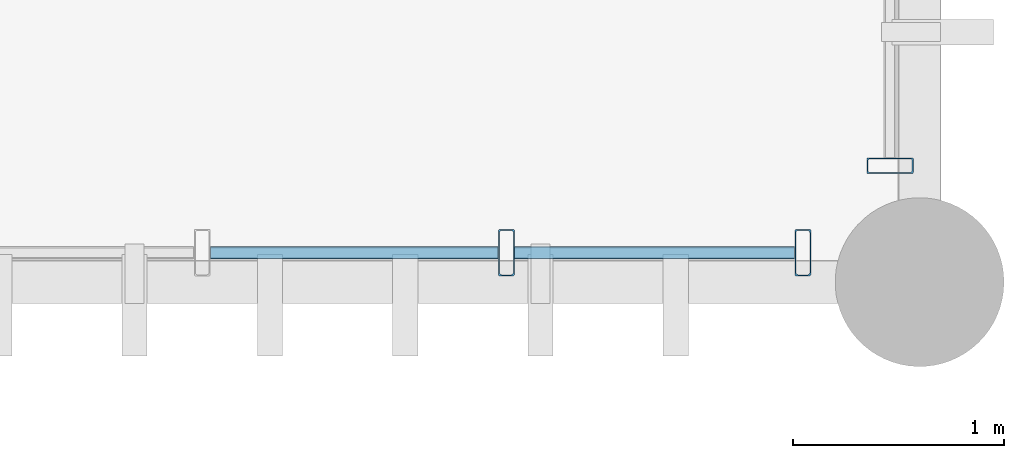
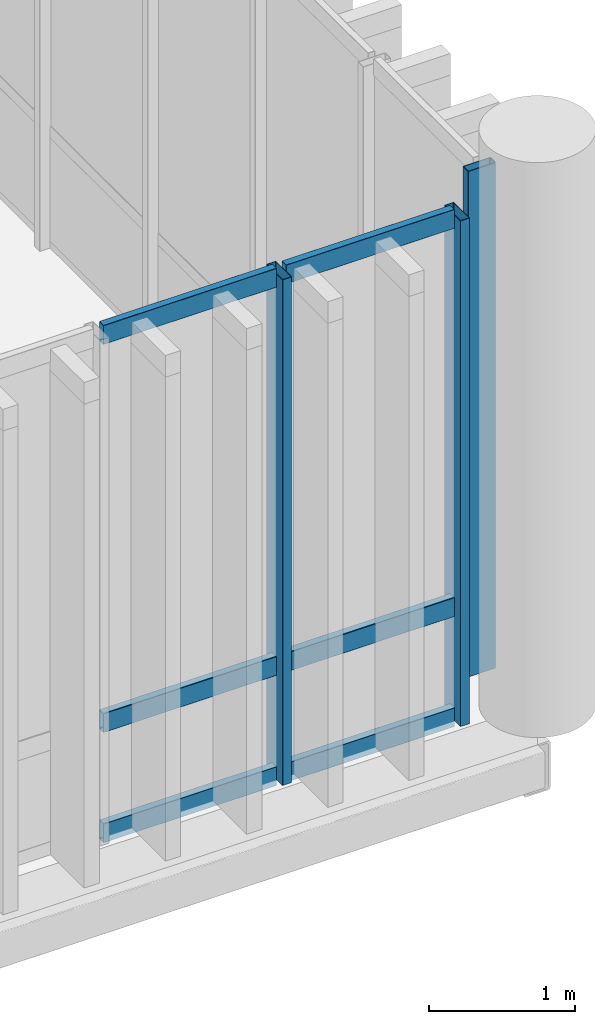
# One storey, part 53 of 94: 9 members, 2 elements without a shape of their own.
"""IFC4 building model written with IfcOpenShell, lengths in metres."""

from ifc_helpers import new_model, si_unit, direction, frame, origin_with_axes, origin_2d_with_axis, place, context, subcontext, project, spatial, hollow_rectangle, extrude, material, material_profile, profile_set, type_object, element, aggregate, save


model = new_model("IFC4")

# Units and contexts
model_context = context("Model", 3, precision=1e-05, world=origin_with_axes(), true_north=direction((0.0, 1.0)))
body_context = subcontext(model_context, "Body", "Model", "MODEL_VIEW")
ifc_project = project(units=[si_unit("LENGTHUNIT", "METRE"), si_unit("AREAUNIT", "SQUARE_METRE"), si_unit("VOLUMEUNIT", "CUBIC_METRE"), si_unit("PLANEANGLEUNIT", "RADIAN"), si_unit("MASSUNIT", "GRAM", prefix="KILO"), si_unit("THERMODYNAMICTEMPERATUREUNIT", "KELVIN")], contexts=[model_context])

# Site, building, storey
site_placement = place(None, origin_with_axes())
site = spatial("IfcSite", under=ifc_project, at=site_placement, CompositionType="ELEMENT")
building_placement = place(site_placement, origin_with_axes())
building = spatial("IfcBuilding", under=site, at=building_placement, Name="Montbau Bow Law Courts", CompositionType="ELEMENT")
storey_placement = place(building_placement, frame((0.0, 0.0, 15.6), z_axis=(0.0, 0.0, 1.0), x_axis=(1.0, 0.0, 0.0)))
storey = spatial("IfcBuildingStorey", under=building, at=storey_placement, Name="L03", CompositionType="ELEMENT", Elevation=15.6)

# Curtain wall, members
ifc_material = material(Name="Thermally Broken Extruded Aluminium AA 6063-T6", Category="aluminium")
curtain_wall_type = type_object("IfcCurtainWallType", Name="CW-SLT-01", PredefinedType="NOTDEFINED", material=ifc_material)
curtain_wall_1_placement = place(None, frame((163.115, 69.74, 15.6), z_axis=(0.0, 0.0, 1.0), x_axis=(1.0, 0.0, 0.0)))
curtain_wall_1 = element("IfcCurtainWall", 1, at=curtain_wall_1_placement, inside=storey, type_object=curtain_wall_type, Name="CW-L03-312:cw_0312", PredefinedType="NOTDEFINED")
ifc_material_profile_1 = material_profile(ifc_material, hollow_rectangle(XDim=0.075, YDim=0.22, WallThickness=0.005, InnerFilletRadius=0.01, OuterFilletRadius=0.005, at=origin_2d_with_axis()), Name="CWM-220X75", Category="Main", Priority=0)
ifc_profile_set_1 = profile_set([ifc_material_profile_1], Name="Thermally Broken Extruded Aluminium AA 6063-T6")
member_type_1 = type_object("IfcMemberType", Name="M-MUL-01", PredefinedType="MULLION", material=ifc_profile_set_1)
member_1_placement = place(None, frame((167.442, 69.74, 15.6), z_axis=(0.0, 0.0, 1.0), x_axis=(1.0, 0.0, 0.0)))
member_1 = element("IfcMember", 2, at=member_1_placement, type_object=member_type_1, Name="CW-L03-312-M04:cw_0312_M04", PredefinedType="MULLION", context=body_context, shape_type="SweptSolid", body=[
    extrude(hollow_rectangle(XDim=0.075, YDim=0.22, WallThickness=0.005, InnerFilletRadius=0.01, OuterFilletRadius=0.005, at=origin_2d_with_axis()), origin_with_axes(), (0.0, 0.0, 1.0), 4.22),
])
member_2_placement = place(None, frame((168.847, 69.74, 15.6), z_axis=(0.0, 0.0, 1.0), x_axis=(1.0, 0.0, 0.0)))
member_2 = element("IfcMember", 3, at=member_2_placement, type_object=member_type_1, Name="CW-L03-312-M05:cw_0312_M05", PredefinedType="MULLION", context=body_context, shape_type="SweptSolid", body=[
    extrude(hollow_rectangle(XDim=0.075, YDim=0.22, WallThickness=0.005, InnerFilletRadius=0.01, OuterFilletRadius=0.005, at=origin_2d_with_axis()), origin_with_axes(), (0.0, 0.0, 1.0), 4.22),
])

# Curtain wall, member
curtain_wall_2_placement = place(None, frame((169.26, 70.115, 15.6), z_axis=(0.0, 0.0, 1.0), x_axis=(1.0, 0.0, 0.0)))
curtain_wall_2 = element("IfcCurtainWall", 4, at=curtain_wall_2_placement, inside=storey, type_object=curtain_wall_type, Name="CW-L03-321:cw_0321", PredefinedType="NOTDEFINED")
member_3_placement = place(None, frame((169.26, 70.152, 15.6), z_axis=(0.0, 0.0, 1.0), x_axis=(0.0, 1.0, 0.0)))
member_3 = element("IfcMember", 5, at=member_3_placement, type_object=member_type_1, Name="CW-L03-321-M01:cw_0321_M01", PredefinedType="MULLION", context=body_context, shape_type="SweptSolid", body=[
    extrude(hollow_rectangle(XDim=0.075, YDim=0.22, WallThickness=0.005, InnerFilletRadius=0.01, OuterFilletRadius=0.005, at=origin_2d_with_axis()), origin_with_axes(), (0.0, 0.0, 1.0), 4.22),
])
aggregate(curtain_wall_2, [member_3])

# Member
ifc_material_profile_2 = material_profile(ifc_material, hollow_rectangle(XDim=0.06, YDim=0.16, WallThickness=0.004, InnerFilletRadius=0.008, OuterFilletRadius=0.004, at=origin_2d_with_axis()), Name="CWT-160X60", Category="Main", Priority=0)
ifc_profile_set_2 = profile_set([ifc_material_profile_2], Name="Thermally Broken Extruded Aluminium AA 6063-T6")
member_type_2 = type_object("IfcMemberType", Name="M-TRN-01", PredefinedType="USERDEFINED", material=ifc_profile_set_2)
member_4_placement = place(None, frame((166.039, 69.74, 15.63), z_axis=(1.0, 0.0, 0.0), x_axis=(0.0, 1.0, 0.0)))
member_4 = element("IfcMember", 6, at=member_4_placement, type_object=member_type_2, Name="CW-L03-312-T03-1:cw_0312_T03_1", ObjectType="TRANSOM", PredefinedType="USERDEFINED", context=body_context, shape_type="SweptSolid", body=[
    extrude(hollow_rectangle(XDim=0.06, YDim=0.16, WallThickness=0.004, InnerFilletRadius=0.008, OuterFilletRadius=0.004, at=origin_2d_with_axis()), origin_with_axes(), (0.0, 0.0, 1.0), 1.364),
])

member_5_placement = place(None, frame((166.039, 69.74, 16.55), z_axis=(1.0, 0.0, 0.0), x_axis=(0.0, 1.0, 0.0)))
member_5 = element("IfcMember", 7, at=member_5_placement, type_object=member_type_2, Name="CW-L03-312-T03-2:cw_0312_T03_2", ObjectType="TRANSOM", PredefinedType="USERDEFINED", context=body_context, shape_type="SweptSolid", body=[
    extrude(hollow_rectangle(XDim=0.06, YDim=0.16, WallThickness=0.004, InnerFilletRadius=0.008, OuterFilletRadius=0.004, at=origin_2d_with_axis()), origin_with_axes(), (0.0, 0.0, 1.0), 1.364),
])

member_6_placement = place(None, frame((166.039, 69.74, 19.79), z_axis=(1.0, 0.0, 0.0), x_axis=(0.0, 1.0, 0.0)))
member_6 = element("IfcMember", 8, at=member_6_placement, type_object=member_type_2, Name="CW-L03-312-T03-3:cw_0312_T03_3", ObjectType="TRANSOM", PredefinedType="USERDEFINED", context=body_context, shape_type="SweptSolid", body=[
    extrude(hollow_rectangle(XDim=0.06, YDim=0.16, WallThickness=0.004, InnerFilletRadius=0.008, OuterFilletRadius=0.004, at=origin_2d_with_axis()), origin_with_axes(), (0.0, 0.0, 1.0), 1.364),
])

member_7_placement = place(None, frame((167.481, 69.74, 15.63), z_axis=(1.0, 0.0, 0.0), x_axis=(0.0, 1.0, 0.0)))
member_7 = element("IfcMember", 9, at=member_7_placement, type_object=member_type_2, Name="CW-L03-312-T04-1:cw_0312_T04_1", ObjectType="TRANSOM", PredefinedType="USERDEFINED", context=body_context, shape_type="SweptSolid", body=[
    extrude(hollow_rectangle(XDim=0.06, YDim=0.16, WallThickness=0.004, InnerFilletRadius=0.008, OuterFilletRadius=0.004, at=origin_2d_with_axis()), origin_with_axes(), (0.0, 0.0, 1.0), 1.327),
])

member_8_placement = place(None, frame((167.481, 69.74, 16.55), z_axis=(1.0, 0.0, 0.0), x_axis=(0.0, 1.0, 0.0)))
member_8 = element("IfcMember", 10, at=member_8_placement, type_object=member_type_2, Name="CW-L03-312-T04-2:cw_0312_T04_2", ObjectType="TRANSOM", PredefinedType="USERDEFINED", context=body_context, shape_type="SweptSolid", body=[
    extrude(hollow_rectangle(XDim=0.06, YDim=0.16, WallThickness=0.004, InnerFilletRadius=0.008, OuterFilletRadius=0.004, at=origin_2d_with_axis()), origin_with_axes(), (0.0, 0.0, 1.0), 1.327),
])

member_9_placement = place(None, frame((167.481, 69.74, 19.79), z_axis=(1.0, 0.0, 0.0), x_axis=(0.0, 1.0, 0.0)))
member_9 = element("IfcMember", 11, at=member_9_placement, type_object=member_type_2, Name="CW-L03-312-T04-3:cw_0312_T04_3", ObjectType="TRANSOM", PredefinedType="USERDEFINED", context=body_context, shape_type="SweptSolid", body=[
    extrude(hollow_rectangle(XDim=0.06, YDim=0.16, WallThickness=0.004, InnerFilletRadius=0.008, OuterFilletRadius=0.004, at=origin_2d_with_axis()), origin_with_axes(), (0.0, 0.0, 1.0), 1.327),
])

aggregate(curtain_wall_1, [member_1, member_2, member_4, member_5, member_6, member_7, member_8, member_9])

save(model, "model.ifc")
